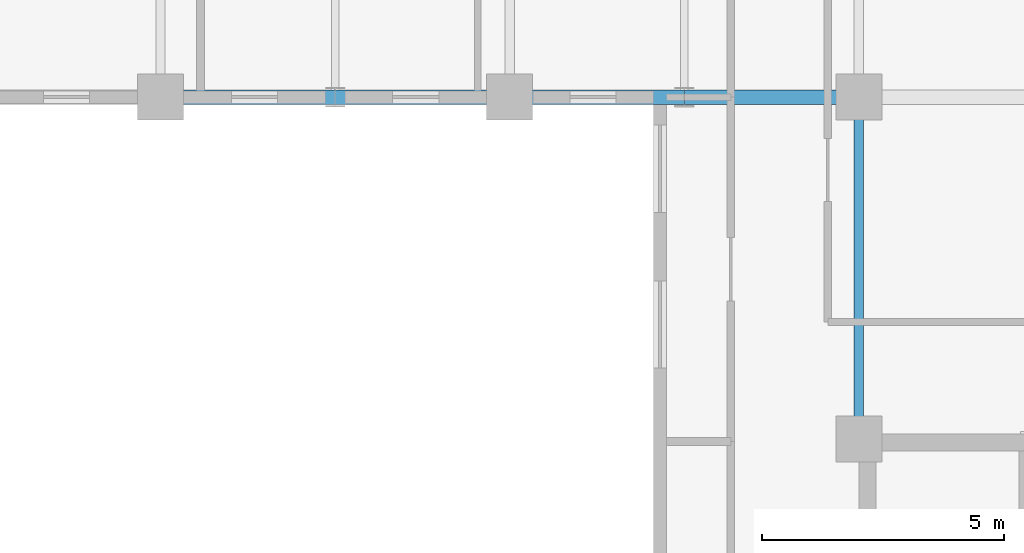
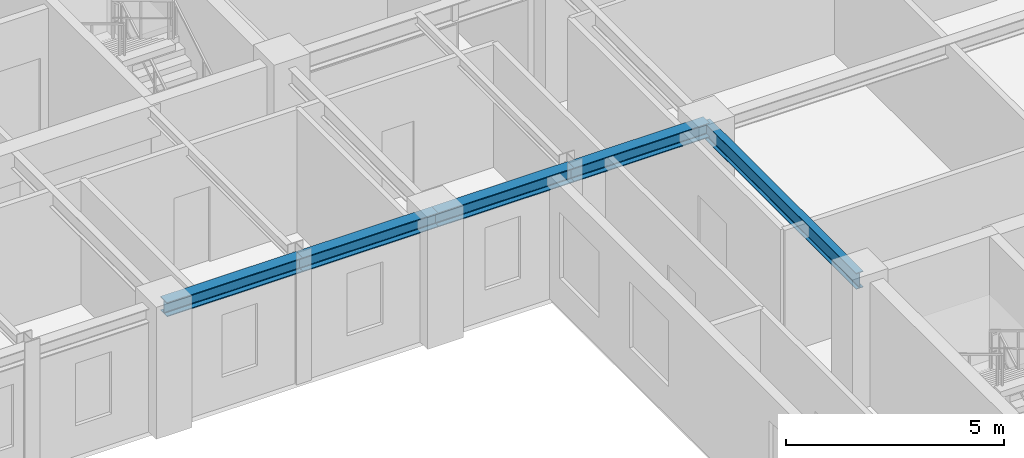
# One storey, part 5 of 20: 5 beams.
"""IFC4 building model written with IfcOpenShell, lengths in metres."""

import ifcopenshell
import ifcopenshell.guid

model = None  # the IFC model being written
_history = None  # IfcOwnerHistory: only IFC2X3 demands one
_inside = {}  # id of a spatial element -> (the spatial element, [elements in it])
_under = {}  # id of a project, library or spatial element -> (it, [spatial elements below it])
_declared = {}  # id of a project -> (the project, [libraries it declares])
_typed = {}  # id of a type object -> (the type object, [elements of that type])
_made_of = {}  # id of a material, layer set ... -> (it, [elements and type objects made of it])


def new_model(schema):
    """Start an empty IFC model of exactly this schema.

    Asked for "IFC4X3", IfcOpenShell would pick the latest addendum, in which some entities
    have other attributes; the version numbers below select the first issue.
    IFC2X3 requires an IfcOwnerHistory on every rooted entity: one is made here for all.
    """
    global model, _history
    if schema == "IFC4X3":
        model = ifcopenshell.file(schema_version=(4, 3, 0, 0))
    else:
        model = ifcopenshell.file(schema=schema)
    _inside.clear()
    _under.clear()
    _declared.clear()
    _typed.clear()
    _made_of.clear()
    _history = None
    if model.schema == "IFC2X3":
        org = make("IfcOrganization", Name="unknown")
        user = make(
            "IfcPersonAndOrganization",
            ThePerson=make("IfcPerson", FamilyName="unknown"),
            TheOrganization=org,
        )
        app = make(
            "IfcApplication",
            ApplicationDeveloper=org,
            Version="unknown",
            ApplicationFullName="unknown",
            ApplicationIdentifier="unknown",
        )
        _history = make(
            "IfcOwnerHistory",
            OwningUser=user,
            OwningApplication=app,
            ChangeAction="ADDED",
            CreationDate=0,
        )
    return model


def make(cls, **values):
    """One entity of the class cls with the attributes given. An attribute that is None is left unset."""
    return model.create_entity(
        cls, **{name: value for name, value in values.items() if value is not None}
    )


def rooted(cls, **values):
    """An entity with a GlobalId (a new one), such as an element, a storey or a relation."""
    return make(cls, GlobalId=ifcopenshell.guid.new(), OwnerHistory=_history, **values)


def si_unit(unit_type, name, prefix=None):
    """IfcSIUnit, for example si_unit("LENGTHUNIT", "METRE", prefix="MILLI")."""
    return make("IfcSIUnit", UnitType=unit_type, Prefix=prefix, Name=name)


def assignment(units):
    """IfcUnitAssignment: the units of a project."""
    return None if units is None else make("IfcUnitAssignment", Units=units)


def point(xyz):
    """IfcCartesianPoint."""
    return None if xyz is None else make("IfcCartesianPoint", Coordinates=xyz)


def direction(xyz):
    """IfcDirection."""
    return None if xyz is None else make("IfcDirection", DirectionRatios=xyz)


def frame(location, z_axis=None, x_axis=None):
    """IfcAxis2Placement3D, a coordinate frame: its origin and axes. An axis left out is left unset."""
    return make(
        "IfcAxis2Placement3D",
        Location=point(location),
        Axis=direction(z_axis),
        RefDirection=direction(x_axis),
    )


def frame_2d(location, x_axis=None):
    """IfcAxis2Placement2D, a coordinate frame in the plane: its origin and x axis."""
    return make(
        "IfcAxis2Placement2D", Location=point(location), RefDirection=direction(x_axis)
    )


def origin():
    """The frame at (0, 0, 0) with its axes left unset."""
    return frame((0.0, 0.0, 0.0))


def origin_2d():
    """The frame at (0, 0) in the plane with its x axis left unset."""
    return frame_2d((0.0, 0.0))


def place(relative_to, where):
    """IfcLocalPlacement: puts the frame where relative to a parent placement (None: the world)."""
    return make(
        "IfcLocalPlacement", PlacementRelTo=relative_to, RelativePlacement=where
    )


def context(
    kind, dimensions, precision=None, world=None, true_north=None, identifier=None
):
    """IfcGeometricRepresentationContext, for example the 3D "Model" context."""
    return make(
        "IfcGeometricRepresentationContext",
        ContextIdentifier=identifier,
        ContextType=kind,
        CoordinateSpaceDimension=dimensions,
        Precision=precision,
        WorldCoordinateSystem=world,
        TrueNorth=true_north,
    )


def subcontext(parent, identifier, kind, view, scale=None):
    """IfcGeometricRepresentationSubContext, for example "Body" below "Model"."""
    return make(
        "IfcGeometricRepresentationSubContext",
        ContextIdentifier=identifier,
        ContextType=kind,
        ParentContext=parent,
        TargetScale=scale,
        TargetView=view,
    )


def project(units=None, contexts=None):
    """IfcProject with its units and contexts."""
    return rooted(
        "IfcProject",
        Name="project",
        RepresentationContexts=contexts,
        UnitsInContext=assignment(units),
    )


def spatial(cls, under=None, at=None, **own):
    """A site, building, storey or space (cls), placed at a placement, below another one or the project."""
    s = rooted(cls, ObjectPlacement=at, **own)
    if under is not None:
        _under.setdefault(under.id(), (under, []))[1].append(s)
    return s


def profile(cls, at=None, kind="AREA", **sizes):
    """A parametric profile (cls). Its sizes go by their IFC names, for example OverallWidth=200.0."""
    return make(cls, ProfileType=kind, Position=at, **sizes)


def i_section(**sizes):
    """IfcIShapeProfileDef."""
    return profile("IfcIShapeProfileDef", **sizes)


def extrude(swept, where, along, depth):
    """IfcExtrudedAreaSolid: the profile swept, set in the frame where, extruded along a direction by depth."""
    return make(
        "IfcExtrudedAreaSolid",
        SweptArea=swept,
        Position=where,
        ExtrudedDirection=direction(along),
        Depth=depth,
    )


def shape(context_of_items, identifier, shape_type, items):
    """IfcShapeRepresentation: the items that make up one representation, for example the "Body"."""
    return make(
        "IfcShapeRepresentation",
        ContextOfItems=context_of_items,
        RepresentationIdentifier=identifier,
        RepresentationType=shape_type,
        Items=items,
    )


def source(mapping_origin, context_of_items, identifier, shape_type, items):
    """IfcRepresentationMap: a shape defined once, which mapped items show again and again."""
    return make(
        "IfcRepresentationMap",
        MappingOrigin=mapping_origin,
        MappedRepresentation=shape(context_of_items, identifier, shape_type, items),
    )


def transform(
    local_origin,
    x_axis=None,
    y_axis=None,
    z_axis=None,
    scale=None,
    scale2=None,
    scale3=None,
    uniform=True,
):
    """IfcCartesianTransformationOperator3D, or its non-uniform kind. x_axis, y_axis, z_axis: its Axis1, 2, 3."""
    if uniform:
        return make(
            "IfcCartesianTransformationOperator3D",
            Axis1=direction(x_axis),
            Axis2=direction(y_axis),
            LocalOrigin=point(local_origin),
            Scale=scale,
            Axis3=direction(z_axis),
        )
    return make(
        "IfcCartesianTransformationOperator3DnonUniform",
        Axis1=direction(x_axis),
        Axis2=direction(y_axis),
        LocalOrigin=point(local_origin),
        Scale=scale,
        Axis3=direction(z_axis),
        Scale2=scale2,
        Scale3=scale3,
    )


def mapped(mapping_source, mapping_target):
    """IfcMappedItem: shows the shape of a source again, moved by a transform."""
    return make(
        "IfcMappedItem", MappingSource=mapping_source, MappingTarget=mapping_target
    )


def material(Name=None, Category=None):
    """IfcMaterial."""
    return make("IfcMaterial", Name=Name, Category=Category)


def material_profile(
    of_material, cross_section, Name=None, Category=None, Priority=None
):
    """IfcMaterialProfile: a cross section and its material."""
    return make(
        "IfcMaterialProfile",
        Name=Name,
        Material=of_material,
        Profile=cross_section,
        Priority=Priority,
        Category=Category,
    )


def profile_set(profiles, Name=None, composite=None):
    """IfcMaterialProfileSet."""
    return make(
        "IfcMaterialProfileSet",
        Name=Name,
        MaterialProfiles=profiles,
        CompositeProfile=composite,
    )


def made_of(thing, what):
    """Note that an element or type object is made of a material, layer set ...; save() writes the relation."""
    if what is not None:
        _made_of.setdefault(what.id(), (what, []))[1].append(thing)
    return thing


def type_object(cls, material=None, **own):
    """A type object (cls), such as IfcWallType, which elements share."""
    return made_of(rooted(cls, **own), material)


def element(
    cls,
    number,
    at=None,
    inside=None,
    cuts=None,
    type_object=None,
    material=None,
    context=None,
    identifier="Body",
    shape_type=None,
    held_by="IfcProductDefinitionShape",
    body=None,
    shapes=None,
    **own,
):
    """One element of the class cls, such as IfcWall. Its Tag is "e" and its number.

    at: its placement. inside: the storey or other place that contains it. cuts: it is an
    opening in that element (IfcRelVoidsElement). A single representation is given by context,
    identifier, shape_type and body (its items); several are given by shapes. held_by: the class
    of the entity that holds the representations. save() writes the other relations.
    """
    e = rooted(cls, Tag="e%d" % number, ObjectPlacement=at, **own)
    if body is not None:
        shapes = [shape(context, identifier, shape_type, body)]
    if shapes is not None:
        e.Representation = make(held_by, Representations=shapes)
    if inside is not None:
        _inside.setdefault(inside.id(), (inside, []))[1].append(e)
    if cuts is not None:
        rooted(
            "IfcRelVoidsElement", RelatingBuildingElement=cuts, RelatedOpeningElement=e
        )
    if type_object is not None:
        _typed.setdefault(type_object.id(), (type_object, []))[1].append(e)
    return made_of(e, material)


def aggregate(whole, parts):
    """IfcRelAggregates: a whole, such as a stair, and the parts it consists of."""
    return rooted("IfcRelAggregates", RelatingObject=whole, RelatedObjects=parts)


def save(model, path):
    """Write the relations noted so far, then the file.

    IfcRelAggregates (storeys below a building ...), IfcRelContainedInSpatialStructure (elements
    in a storey), IfcRelDefinesByType, IfcRelAssociatesMaterial and IfcRelDeclares: one each for
    every whole, place, type object, material and project.
    """
    for whole, parts in _under.values():
        aggregate(whole, parts)
    for where, things in _inside.values():
        rooted(
            "IfcRelContainedInSpatialStructure",
            RelatedElements=things,
            RelatingStructure=where,
        )
    for kind, things in _typed.values():
        rooted("IfcRelDefinesByType", RelatedObjects=things, RelatingType=kind)
    for what, things in _made_of.values():
        rooted("IfcRelAssociatesMaterial", RelatedObjects=things, RelatingMaterial=what)
    for by, libraries in _declared.values():
        rooted("IfcRelDeclares", RelatingContext=by, RelatedDefinitions=libraries)
    model.write(path)


model = new_model("IFC4")

# Units and contexts
model_context = context("Model", 3, precision=1e-05, world=origin(), true_north=direction((0.0, 1.0)))
body_context = subcontext(model_context, "Body", "Model", "MODEL_VIEW")
ifc_project = project(units=[si_unit("LENGTHUNIT", "METRE"), si_unit("AREAUNIT", "SQUARE_METRE"), si_unit("VOLUMEUNIT", "CUBIC_METRE"), si_unit("PLANEANGLEUNIT", "RADIAN"), si_unit("MASSUNIT", "GRAM", prefix="KILO")], contexts=[model_context])

# Site, building, storey
site_placement = place(None, origin())
site = spatial("IfcSite", under=ifc_project, at=site_placement, CompositionType="ELEMENT")
building_placement = place(site_placement, origin())
building = spatial("IfcBuilding", under=site, at=building_placement, Name="Kaliganga Portal Commons", CompositionType="ELEMENT")
storey_placement = place(building_placement, frame((0.0, 0.0, 216.60009765625)))
storey = spatial("IfcBuildingStorey", under=building, at=storey_placement, Name="L55", CompositionType="ELEMENT", Elevation=216.60009765625)

# Beams
ifc_material = material(Name="Structural steel S355J2", Category="steel")
ifc_material_profile_1 = material_profile(ifc_material, i_section(OverallWidth=0.18994140625, OverallDepth=0.449951171875, WebThickness=0.009521484375, FlangeThickness=0.0146484375, FilletRadius=0.02099609375, at=origin_2d()), Name="IPE 450")
ifc_profile_set_1 = profile_set([ifc_material_profile_1], Name="Structural steel S355J2 wide-flange")
beam_type_1 = type_object("IfcBeamType", Name="BM-FLR-450", PredefinedType="BEAM", material=ifc_profile_set_1)
shared_shape_1 = source(origin(), body_context, "Body", "SweptSolid", [
    extrude(i_section(OverallWidth=0.18994140625, OverallDepth=0.449951171875, WebThickness=0.009521484375, FlangeThickness=0.0146484375, FilletRadius=0.02099609375, at=origin_2d()), origin(), (0.0, 0.0, 1.0), 7.050048828125),
])
beam_placement = place(storey_placement, frame((36.0, 14.550048828125, 3.244873046875), z_axis=(0.0, 1.0, 0.0), x_axis=(-1.0, 0.0, 0.0)))
element("IfcBeam", 1, at=beam_placement, inside=storey, type_object=beam_type_1, Name="BM G L55 BNK360", PredefinedType="BEAM", context=body_context, shape_type="MappedRepresentation", body=[
    mapped(shared_shape_1, transform((0.0, 0.0, 0.0), x_axis=(1.0, 0.0, 0.0), y_axis=(0.0, 1.0, 0.0), z_axis=(0.0, 0.0, 1.0), scale=1.0)),
])
ifc_material_profile_2 = material_profile(ifc_material, i_section(OverallWidth=0.300048828125, OverallDepth=0.39990234375, WebThickness=0.013427734375, FlangeThickness=0.02392578125, FilletRadius=0.027099609375, at=origin_2d()), Name="HE 400 B")
ifc_profile_set_2 = profile_set([ifc_material_profile_2], Name="Structural steel S355J2 wide-flange")
beam_type_2 = type_object("IfcBeamType", Name="BM-SPAND-400", PredefinedType="SPANDREL", material=ifc_profile_set_2)
shared_shape_2 = source(origin(), body_context, "Body", "SweptSolid", [
    extrude(i_section(OverallWidth=0.300048828125, OverallDepth=0.39990234375, WebThickness=0.013427734375, FlangeThickness=0.02392578125, FilletRadius=0.027099609375, at=origin_2d()), origin(), (0.0, 0.0, 1.0), 3.60009765625),
])
for number, where, z_axis, x_axis, name in (
    (2, (25.199951171875, 21.60009765625, 3.27001953125), (1.0, 0.0, 0.0), (0.0, 1.0, 0.0), "BM SP L55 AS 4"),
    (3, (32.39990234375, 21.60009765625, 3.27001953125), (1.0, 0.0, 0.0), (0.0, 1.0, 0.0), "BM SP L55 AS 6"),
):
    element("IfcBeam", number, at=place(storey_placement, frame(where, z_axis=z_axis, x_axis=x_axis)), inside=storey, type_object=beam_type_2, Name=name, PredefinedType="SPANDREL", context=body_context, shape_type="MappedRepresentation", body=[
        mapped(shared_shape_2, transform((0.0, 0.0, 0.0), x_axis=(1.0, 0.0, 0.0), y_axis=(0.0, 1.0, 0.0), z_axis=(0.0, 0.0, 1.0), scale=1.0)),
    ])
shared_shape_3 = source(origin(), body_context, "Body", "SweptSolid", [
    extrude(i_section(OverallWidth=0.300048828125, OverallDepth=0.39990234375, WebThickness=0.013427734375, FlangeThickness=0.02392578125, FilletRadius=0.027099609375, at=origin_2d()), origin(), (0.0, 0.0, 1.0), 3.599853515625),
])
for number, where, z_axis, x_axis, name in (
    (4, (21.60009765625, 21.60009765625, 3.27001953125), (1.0, 0.0, 0.0), (0.0, 1.0, 0.0), "BM SP L55 AS 3"),
    (5, (28.800048828125, 21.60009765625, 3.27001953125), (1.0, 0.0, 0.0), (0.0, 1.0, 0.0), "BM SP L55 AS 5"),
):
    element("IfcBeam", number, at=place(storey_placement, frame(where, z_axis=z_axis, x_axis=x_axis)), inside=storey, type_object=beam_type_2, Name=name, PredefinedType="SPANDREL", context=body_context, shape_type="MappedRepresentation", body=[
        mapped(shared_shape_3, transform((0.0, 0.0, 0.0), x_axis=(1.0, 0.0, 0.0), y_axis=(0.0, 1.0, 0.0), z_axis=(0.0, 0.0, 1.0), scale=1.0)),
    ])

save(model, "model.ifc")
